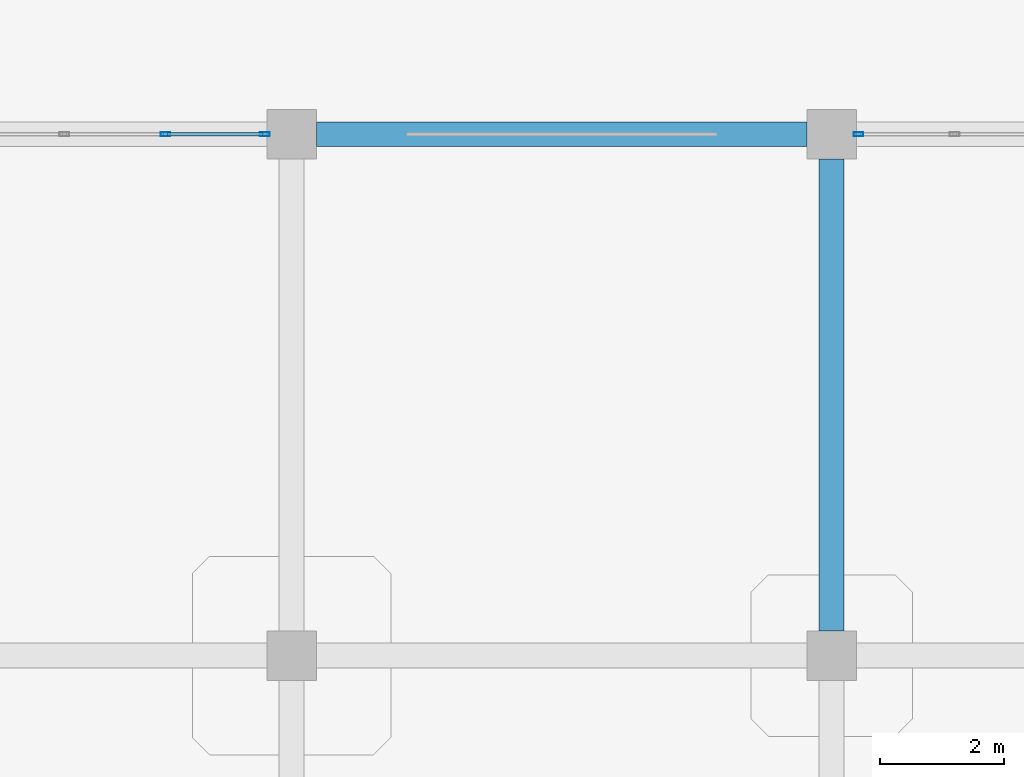
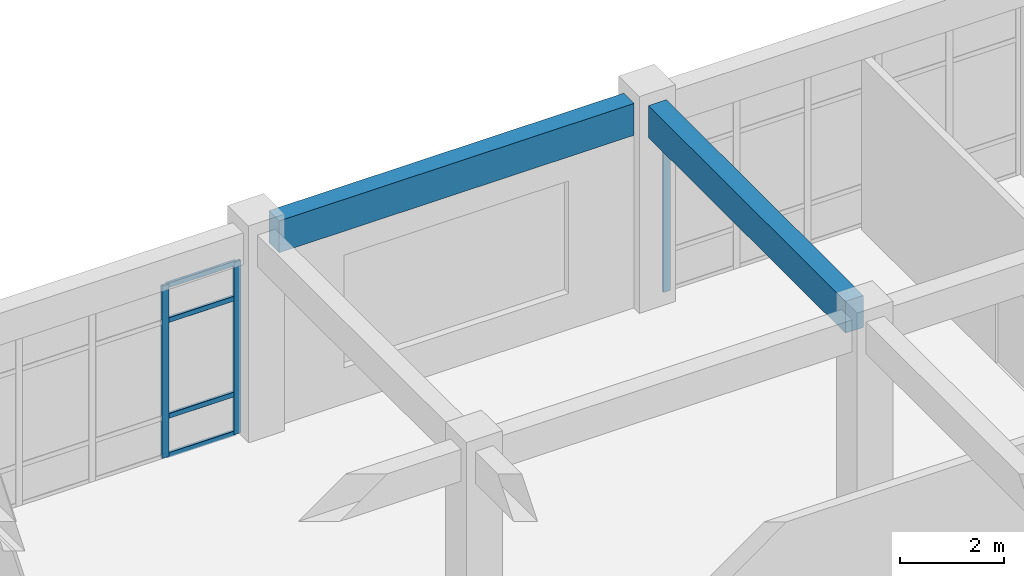
# One storey, part 61 of 96: 7 members, 2 beams, 2 elements without a shape of their own.
"""IFC4 building model written with IfcOpenShell, lengths in metres."""

from ifc_helpers import new_model, si_unit, derived_unit, direction, frame, origin, origin_2d, place, context, subcontext, project, spatial, rectangle, hollow_rectangle, extrude, material, layer, layer_set, material_profile, profile_set, type_object, element, aggregate, save


model = new_model("IFC4")

# Units and contexts
model_context = context("Model", 3, precision=1e-05, world=origin(), true_north=direction((0.0, 1.0)))
body_context = subcontext(model_context, "Body", "Model", "MODEL_VIEW")
ifc_project = project(units=[si_unit("LENGTHUNIT", "METRE"), si_unit("AREAUNIT", "SQUARE_METRE"), si_unit("VOLUMEUNIT", "CUBIC_METRE"), si_unit("PLANEANGLEUNIT", "RADIAN"), si_unit("MASSUNIT", "GRAM", prefix="KILO"), derived_unit("THERMALTRANSMITTANCEUNIT", [(si_unit("MASSUNIT", "GRAM", prefix="KILO"), 1), (si_unit("TIMEUNIT", "SECOND"), -3), (si_unit("THERMODYNAMICTEMPERATUREUNIT", "KELVIN"), -1)])], contexts=[model_context])

# Site, building, storey
site_placement = place(None, origin())
site = spatial("IfcSite", under=ifc_project, at=site_placement, CompositionType="ELEMENT")
building_placement = place(site_placement, origin())
building = spatial("IfcBuilding", under=site, at=building_placement, Name="Qinzheling Arcade Emporium", CompositionType="ELEMENT")
storey_placement = place(building_placement, frame((0.0, 0.0, 21.60009765625)))
storey = spatial("IfcBuildingStorey", under=building, at=storey_placement, Name="L05", CompositionType="ELEMENT", Elevation=21.60009765625)

# Curtain wall, members
ifc_material_1 = material(Name="Anodised aluminium and solar-control double glazing", Category="aluminium")
ifc_layer = layer(ifc_material_1, 0.159912109375, Name="Anodised aluminium and solar-control double glazing", Category="aluminium")
ifc_layer_set = layer_set([ifc_layer], Name="Anodised aluminium and solar-control double glazing")
curtain_wall_type = type_object("IfcCurtainWallType", Name="Food Hall Loggia Curtain Wall", PredefinedType="NOTDEFINED", material=ifc_layer_set)
curtain_wall_1_placement = place(storey_placement, origin())
curtain_wall_1 = element("IfcCurtainWall", 1, at=curtain_wall_1_placement, inside=storey, type_object=curtain_wall_type, Name="Curtain Wall CW-L05-296", PredefinedType="NOTDEFINED")
ifc_material_2 = material(Name="Anodised aluminium 6063-T6", Category="aluminium")
ifc_material_profile_1 = material_profile(ifc_material_2, hollow_rectangle(XDim=0.06005859375, YDim=0.159912109375, WallThickness=0.00390625, InnerFilletRadius=0.00390625, OuterFilletRadius=0.008056640625, at=origin_2d()), Name="RHS 160x60x4", Category="aluminium")
ifc_profile_set_1 = profile_set([ifc_material_profile_1], Name="Anodised aluminium 6063-T6")
member_type_1 = type_object("IfcMemberType", Name="Curtain Wall Mullion RHS160x60", PredefinedType="MULLION", material=ifc_profile_set_1)
member_1_placement = place(storey_placement, frame((128.46875, 25.199951171875, 0.0), z_axis=(0.0, 0.0, 1.0), x_axis=(0.0, 1.0, 0.0)))
member_1 = element("IfcMember", 2, at=member_1_placement, type_object=member_type_1, Name="CW04 mullion 5", PredefinedType="MULLION", context=body_context, shape_type="SweptSolid", body=[
    extrude(hollow_rectangle(XDim=0.06005859375, YDim=0.159912109375, WallThickness=0.00390625, InnerFilletRadius=0.00390625, OuterFilletRadius=0.008056640625, at=origin_2d()), origin(), (0.0, 0.0, 1.0), 4.054931640625),
])
member_2_placement = place(storey_placement, frame((130.068115234375, 25.199951171875, 0.0), z_axis=(0.0, 0.0, 1.0), x_axis=(0.0, 1.0, 0.0)))
member_2 = element("IfcMember", 3, at=member_2_placement, type_object=member_type_1, Name="CW04 mullion 6", PredefinedType="MULLION", context=body_context, shape_type="SweptSolid", body=[
    extrude(hollow_rectangle(XDim=0.06005859375, YDim=0.159912109375, WallThickness=0.00390625, InnerFilletRadius=0.00390625, OuterFilletRadius=0.008056640625, at=origin_2d()), origin(), (0.0, 0.0, 1.0), 4.054931640625),
])

# Curtain wall, member
curtain_wall_2_placement = place(storey_placement, origin())
curtain_wall_2 = element("IfcCurtainWall", 4, at=curtain_wall_2_placement, inside=storey, type_object=curtain_wall_type, Name="Curtain Wall CW-L05-297", PredefinedType="NOTDEFINED")
member_3_placement = place(storey_placement, frame((139.632080078125, 25.199951171875, 0.0), z_axis=(0.0, 0.0, 1.0), x_axis=(0.0, 1.0, 0.0)))
member_3 = element("IfcMember", 5, at=member_3_placement, type_object=member_type_1, Name="CW04 mullion 1", PredefinedType="MULLION", context=body_context, shape_type="SweptSolid", body=[
    extrude(hollow_rectangle(XDim=0.06005859375, YDim=0.159912109375, WallThickness=0.00390625, InnerFilletRadius=0.00390625, OuterFilletRadius=0.008056640625, at=origin_2d()), origin(), (0.0, 0.0, 1.0), 4.054931640625),
])
aggregate(curtain_wall_2, [member_3])

# Member
ifc_material_profile_2 = material_profile(ifc_material_2, hollow_rectangle(XDim=0.06005859375, YDim=0.1201171875, WallThickness=0.00390625, InnerFilletRadius=0.00390625, OuterFilletRadius=0.008056640625, at=origin_2d()), Name="RHS 120x60x4", Category="aluminium")
ifc_profile_set_2 = profile_set([ifc_material_profile_2], Name="Anodised aluminium 6063-T6")
member_type_2 = type_object("IfcMemberType", Name="Curtain Wall Transom RHS120x60", PredefinedType="USERDEFINED", material=ifc_profile_set_2)
member_4_placement = place(storey_placement, frame((128.498779296875, 25.199951171875, 0.02978515625), z_axis=(1.0, 0.0, 0.0), x_axis=(0.0, 1.0, 0.0)))
member_4 = element("IfcMember", 6, at=member_4_placement, type_object=member_type_2, Name="CW04 transom 5.1", ObjectType="TRANSOM", PredefinedType="USERDEFINED", context=body_context, shape_type="SweptSolid", body=[
    extrude(hollow_rectangle(XDim=0.06005859375, YDim=0.1201171875, WallThickness=0.00390625, InnerFilletRadius=0.00390625, OuterFilletRadius=0.008056640625, at=origin_2d()), origin(), (0.0, 0.0, 1.0), 1.539306640625),
])

member_5_placement = place(storey_placement, frame((128.498779296875, 25.199951171875, 0.949951171875), z_axis=(1.0, 0.0, 0.0), x_axis=(0.0, 1.0, 0.0)))
member_5 = element("IfcMember", 7, at=member_5_placement, type_object=member_type_2, Name="CW04 transom 5.2", ObjectType="TRANSOM", PredefinedType="USERDEFINED", context=body_context, shape_type="SweptSolid", body=[
    extrude(hollow_rectangle(XDim=0.06005859375, YDim=0.1201171875, WallThickness=0.00390625, InnerFilletRadius=0.00390625, OuterFilletRadius=0.008056640625, at=origin_2d()), origin(), (0.0, 0.0, 1.0), 1.539306640625),
])

member_6_placement = place(storey_placement, frame((128.498779296875, 25.199951171875, 3.204833984375), z_axis=(1.0, 0.0, 0.0), x_axis=(0.0, 1.0, 0.0)))
member_6 = element("IfcMember", 8, at=member_6_placement, type_object=member_type_2, Name="CW04 transom 5.3", ObjectType="TRANSOM", PredefinedType="USERDEFINED", context=body_context, shape_type="SweptSolid", body=[
    extrude(hollow_rectangle(XDim=0.06005859375, YDim=0.1201171875, WallThickness=0.00390625, InnerFilletRadius=0.00390625, OuterFilletRadius=0.008056640625, at=origin_2d()), origin(), (0.0, 0.0, 1.0), 1.539306640625),
])

member_7_placement = place(storey_placement, frame((128.498779296875, 25.199951171875, 4.02490234375), z_axis=(1.0, 0.0, 0.0), x_axis=(0.0, 1.0, 0.0)))
member_7 = element("IfcMember", 9, at=member_7_placement, type_object=member_type_2, Name="CW04 transom 5.4", ObjectType="TRANSOM", PredefinedType="USERDEFINED", context=body_context, shape_type="SweptSolid", body=[
    extrude(hollow_rectangle(XDim=0.06005859375, YDim=0.1201171875, WallThickness=0.00390625, InnerFilletRadius=0.00390625, OuterFilletRadius=0.008056640625, at=origin_2d()), origin(), (0.0, 0.0, 1.0), 1.539306640625),
])

aggregate(curtain_wall_1, [member_1, member_2, member_4, member_5, member_6, member_7])

# Beams
ifc_material_3 = material(Name="Concrete C40", Category="concrete")
ifc_material_profile_3 = material_profile(ifc_material_3, rectangle(XDim=0.39990234375, YDim=0.75, at=origin_2d()), Name="RC 400x750", Category="concrete")
ifc_profile_set_3 = profile_set([ifc_material_profile_3], Name="Concrete C40")
beam_type = type_object("IfcBeamType", Name="RC Interior Tie Beam 400x750 C40", PredefinedType="BEAM", material=ifc_profile_set_3)
beam_1_placement = place(storey_placement, frame((130.89990234375, 25.199951171875, 4.44482421875), z_axis=(1.0, 0.0, 0.0), x_axis=(0.0, 1.0, 0.0)))
element("IfcBeam", 10, at=beam_1_placement, inside=storey, type_object=beam_type, Name="Beam BM-L05-X-D-16", PredefinedType="BEAM", context=body_context, shape_type="SweptSolid", body=[
    extrude(rectangle(XDim=0.39990234375, YDim=0.75, at=origin_2d()), origin(), (0.0, 0.0, 1.0), 7.900146484375),
])
beam_2_placement = place(storey_placement, frame((139.199951171875, 17.199951171875, 4.44482421875), z_axis=(0.0, 1.0, 0.0), x_axis=(-1.0, 0.0, 0.0)))
element("IfcBeam", 11, at=beam_2_placement, inside=storey, type_object=beam_type, Name="Beam BM-L05-Y-17-C", PredefinedType="BEAM", context=body_context, shape_type="SweptSolid", body=[
    extrude(rectangle(XDim=0.39990234375, YDim=0.75, at=origin_2d()), origin(), (0.0, 0.0, 1.0), 7.60009765625),
])

save(model, "model.ifc")
